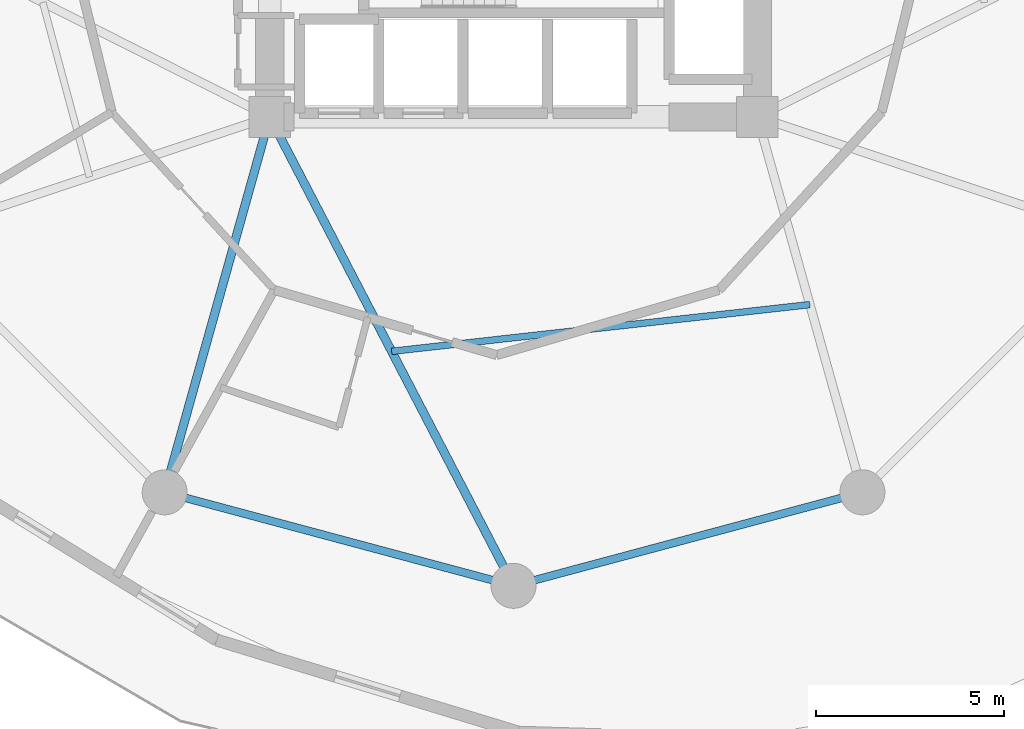
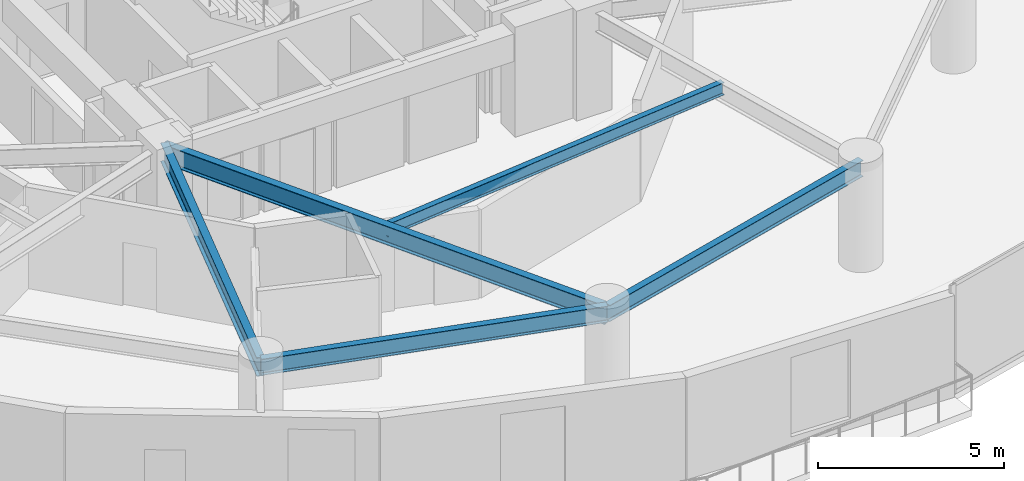
# One storey, part 3 of 24: 5 beams.
"""IFC4 building model written with IfcOpenShell, lengths in metres."""

from ifc_helpers import new_model, si_unit, direction, frame, origin, origin_2d, place, context, subcontext, project, spatial, i_section, extrude, material, material_profile, profile_set, type_object, element, save


model = new_model("IFC4")

# Units and contexts
model_context = context("Model", 3, precision=1e-05, world=origin(), true_north=direction((0.0, 1.0)))
body_context = subcontext(model_context, "Body", "Model", "MODEL_VIEW")
ifc_project = project(units=[si_unit("LENGTHUNIT", "METRE"), si_unit("AREAUNIT", "SQUARE_METRE"), si_unit("VOLUMEUNIT", "CUBIC_METRE"), si_unit("PLANEANGLEUNIT", "RADIAN"), si_unit("MASSUNIT", "GRAM", prefix="KILO")], contexts=[model_context])

# Site, building, storey
site_placement = place(None, origin())
site = spatial("IfcSite", under=ifc_project, at=site_placement, CompositionType="ELEMENT")
building_placement = place(site_placement, origin())
building = spatial("IfcBuilding", under=site, at=building_placement, Name="Solvirekh Grand Hotel", CompositionType="ELEMENT")
storey_placement = place(building_placement, frame((0.0, 0.0, 86.0)))
storey = spatial("IfcBuildingStorey", under=building, at=storey_placement, Name="L21", CompositionType="ELEMENT", Elevation=86.0)

# Beams
ifc_material = material(Name="Steel S355", Category="steel")
ifc_material_profile_1 = material_profile(ifc_material, i_section(OverallWidth=0.22802734375, OverallDepth=0.616943359375, WebThickness=0.012939453125, FlangeThickness=0.02001953125, FilletRadius=0.014892578125, at=origin_2d()), Name="W610X140")
ifc_profile_set_1 = profile_set([ifc_material_profile_1], Name="Steel S355")
beam_type_1 = type_object("IfcBeamType", Name="Beam_Radial_W610", PredefinedType="BEAM", material=ifc_profile_set_1)
beam_1_placement = place(storey_placement, frame((-6.5, -6.10009765625, 3.031982421875), z_axis=(-0.269439084681, -0.963017434757, 0.0), x_axis=(0.963017434757, -0.269439084681, 0.0)))
element("IfcBeam", 1, at=beam_1_placement, inside=storey, type_object=beam_type_1, Name="L21 radial floor beam R09", PredefinedType="BEAM", context=body_context, shape_type="SweptSolid", body=[
    extrude(i_section(OverallWidth=0.22802734375, OverallDepth=0.616943359375, WebThickness=0.012939453125, FlangeThickness=0.02001953125, FilletRadius=0.014892578125, at=origin_2d()), origin(), (0.0, 0.0, 1.0), 10.39208984375),
])
beam_2_placement = place(storey_placement, frame((-6.5, -6.10009765625, 3.031982421875), z_axis=(0.461352736642, -0.887216801235, 0.0), x_axis=(0.887216801235, 0.461352736642, 0.0)))
element("IfcBeam", 2, at=beam_2_placement, inside=storey, type_object=beam_type_1, Name="L21 radial floor beam R10", PredefinedType="BEAM", context=body_context, shape_type="SweptSolid", body=[
    extrude(i_section(OverallWidth=0.22802734375, OverallDepth=0.616943359375, WebThickness=0.012939453125, FlangeThickness=0.02001953125, FilletRadius=0.014892578125, at=origin_2d()), origin(), (0.0, 0.0, 1.0), 14.089111328125),
])
ifc_material_profile_2 = material_profile(ifc_material, i_section(OverallWidth=0.177978515625, OverallDepth=0.406982421875, WebThickness=0.008056640625, FlangeThickness=0.011962890625, FilletRadius=0.011962890625, at=origin_2d()), Name="W410X60")
ifc_profile_set_2 = profile_set([ifc_material_profile_2], Name="Steel S355")
beam_type_2 = type_object("IfcBeamType", Name="Joist_Floor_W410", PredefinedType="JOIST", material=ifc_profile_set_2)
beam_3_placement = place(storey_placement, frame((-3.25, -12.35009765625, 3.135986328125), z_axis=(0.99381294191, 0.111066810937, 0.0), x_axis=(-0.111066810937, 0.99381294191, 0.0)))
element("IfcBeam", 3, at=beam_3_placement, inside=storey, type_object=beam_type_2, Name="L21 secondary composite floor joist 10", PredefinedType="JOIST", context=body_context, shape_type="SweptSolid", body=[
    extrude(i_section(OverallWidth=0.177978515625, OverallDepth=0.406982421875, WebThickness=0.008056640625, FlangeThickness=0.011962890625, FilletRadius=0.011962890625, at=origin_2d()), origin(), (0.0, 0.0, 1.0), 11.21923828125),
])
ifc_material_profile_3 = material_profile(ifc_material, i_section(OverallWidth=0.208984375, OverallDepth=0.532958984375, WebThickness=0.010009765625, FlangeThickness=0.014892578125, FilletRadius=0.013916015625, at=origin_2d()), Name="W530X92")
ifc_profile_set_3 = profile_set([ifc_material_profile_3], Name="Steel S355")
beam_type_3 = type_object("IfcBeamType", Name="Spandrel_Ring_W530", PredefinedType="SPANDREL", material=ifc_profile_set_3)
for number, where, z_axis, x_axis, name in (
    (4, (-9.300048828125, -16.10791015625, 3.073974609375), (0.965919414426, -0.258842973314, 0.0), (0.258842973314, 0.965919414426, 0.0), "L21 perimeter spandrel beam 9"),
    (5, (0.0, -18.60009765625, 3.073974609375), (0.965919414426, 0.258842973314, 0.0), (-0.258842973314, 0.965919414426, 0.0), "L21 perimeter spandrel beam 10"),
):
    element("IfcBeam", number, at=place(storey_placement, frame(where, z_axis=z_axis, x_axis=x_axis)), inside=storey, type_object=beam_type_3, Name=name, PredefinedType="SPANDREL", context=body_context, shape_type="SweptSolid", body=[
        extrude(i_section(OverallWidth=0.208984375, OverallDepth=0.532958984375, WebThickness=0.010009765625, FlangeThickness=0.014892578125, FilletRadius=0.013916015625, at=origin_2d()), origin(), (0.0, 0.0, 1.0), 9.628173828125),
    ])

save(model, "model.ifc")
